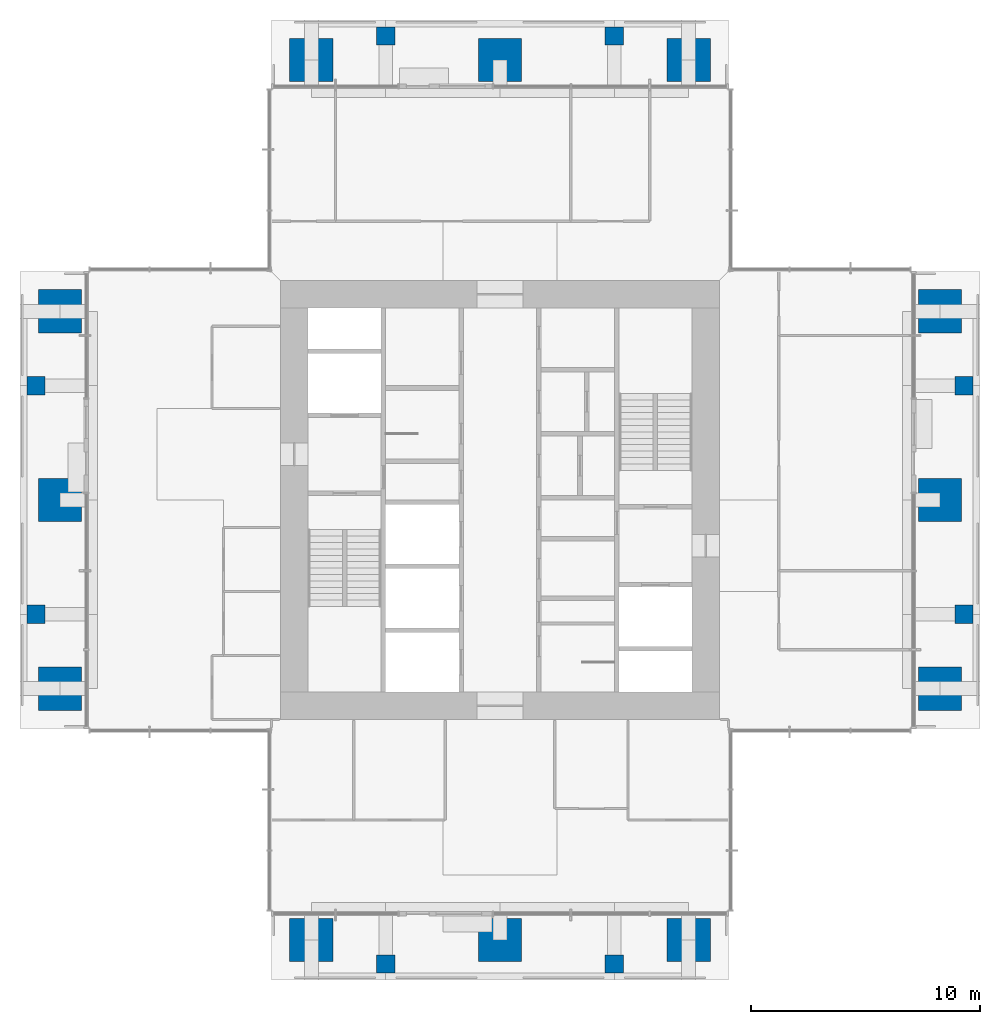
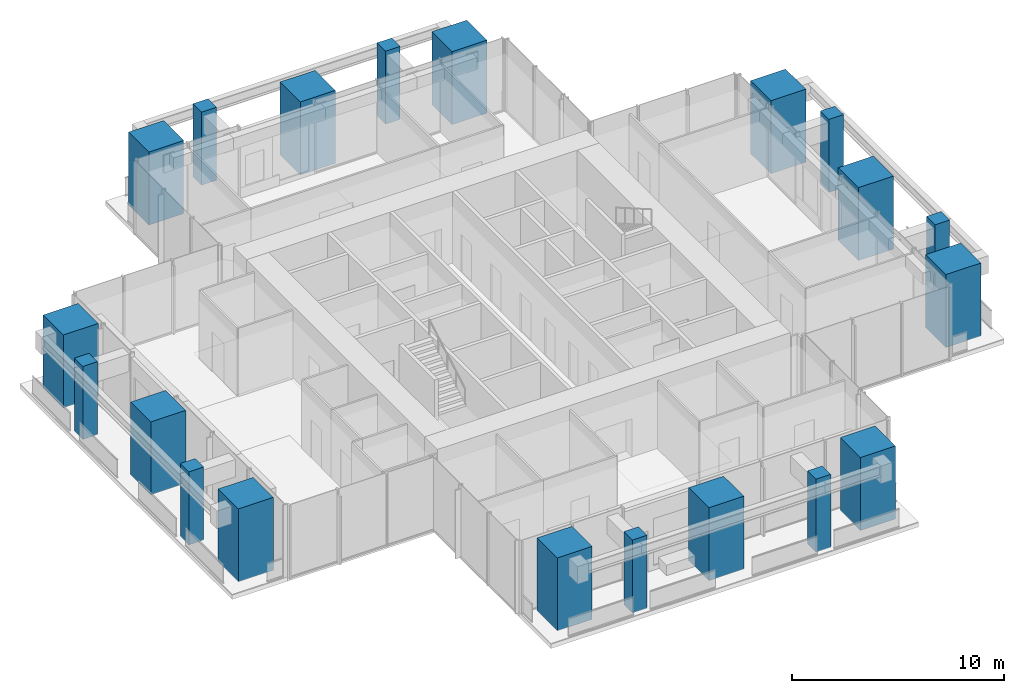
# One storey, part 1 of 12: 20 columns.
"""IFC4 building model written with IfcOpenShell, lengths in metres."""

from ifc_helpers import new_model, si_unit, direction, frame, origin, origin_2d, place, context, subcontext, project, spatial, rectangle, extrude, material, material_profile, profile_set, type_object, element, save


model = new_model("IFC4")

# Units and contexts
model_context = context("Model", 3, precision=1e-05, world=origin(), true_north=direction((0.0, 1.0)))
body_context = subcontext(model_context, "Body", "Model", "MODEL_VIEW")
ifc_project = project(units=[si_unit("LENGTHUNIT", "METRE"), si_unit("AREAUNIT", "SQUARE_METRE"), si_unit("VOLUMEUNIT", "CUBIC_METRE"), si_unit("PLANEANGLEUNIT", "RADIAN"), si_unit("MASSUNIT", "GRAM", prefix="KILO")], contexts=[model_context])

# Site, building, storey
site_placement = place(None, origin())
site = spatial("IfcSite", under=ifc_project, at=site_placement, CompositionType="ELEMENT")
building_placement = place(site_placement, origin())
building = spatial("IfcBuilding", under=site, at=building_placement, Name="Svetlomir Tower", CompositionType="ELEMENT")
storey_placement = place(building_placement, frame((0.0, 0.0, 256.60009765625)))
storey = spatial("IfcBuildingStorey", under=building, at=storey_placement, Name="L61", CompositionType="ELEMENT", Elevation=256.60009765625)

# Columns
ifc_material_1 = material(Name="Concrete C60/75", Category="concrete")
ifc_material_profile_1 = material_profile(ifc_material_1, rectangle(XDim=1.89990234375, YDim=1.89990234375, at=origin_2d()), Name="RC 1900x1900")
ifc_profile_set_1 = profile_set([ifc_material_profile_1], Name="Concrete C60/75")
column_type_1 = type_object("IfcColumnType", Name="COLUMN RC 1900x1900", PredefinedType="COLUMN", material=ifc_profile_set_1)
for number, where, z_axis, x_axis, name in (
    (1, (12.75, 1.75, 0.0), (0.0, 0.0, 1.0), (1.0, 0.0, 0.0), "Column 11/0 L61"),
    (2, (21.0, 1.75, 0.0), (0.0, 0.0, 1.0), (1.0, 0.0, 0.0), "Column 21/0 L61"),
    (3, (29.25, 1.75, 0.0), (0.0, 0.0, 1.0), (1.0, 0.0, 0.0), "Column 31/0 L61"),
    (4, (1.75, 12.75, 0.0), (0.0, 0.0, 1.0), (1.0, 0.0, 0.0), "Column 0/11 L61"),
    (5, (40.25, 12.75, 0.0), (0.0, 0.0, 1.0), (1.0, 0.0, 0.0), "Column 42/11 L61"),
    (6, (1.75, 21.0, 0.0), (0.0, 0.0, 1.0), (1.0, 0.0, 0.0), "Column 0/21 L61"),
    (7, (40.25, 21.0, 0.0), (0.0, 0.0, 1.0), (1.0, 0.0, 0.0), "Column 42/21 L61"),
    (8, (1.75, 29.25, 0.0), (0.0, 0.0, 1.0), (1.0, 0.0, 0.0), "Column 0/31 L61"),
    (9, (40.25, 29.25, 0.0), (0.0, 0.0, 1.0), (1.0, 0.0, 0.0), "Column 42/31 L61"),
    (10, (12.75, 40.25, 0.0), (0.0, 0.0, 1.0), (1.0, 0.0, 0.0), "Column 11/42 L61"),
    (11, (21.0, 40.25, 0.0), (0.0, 0.0, 1.0), (1.0, 0.0, 0.0), "Column 21/42 L61"),
    (12, (29.25, 40.25, 0.0), (0.0, 0.0, 1.0), (1.0, 0.0, 0.0), "Column 31/42 L61"),
):
    element("IfcColumn", number, at=place(storey_placement, frame(where, z_axis=z_axis, x_axis=x_axis)), inside=storey, type_object=column_type_1, Name=name, PredefinedType="COLUMN", context=body_context, shape_type="SweptSolid", body=[
        extrude(rectangle(XDim=1.89990234375, YDim=1.89990234375, at=origin_2d()), origin(), (0.0, 0.0, 1.0), 4.199951171875),
    ])
ifc_material_2 = material(Name="Concrete C60/75", Category="concrete")
ifc_material_profile_2 = material_profile(ifc_material_2, rectangle(XDim=0.800048828125, YDim=0.800048828125, at=origin_2d()), Name="RC 800x800")
ifc_profile_set_2 = profile_set([ifc_material_profile_2], Name="Concrete C60/75")
column_type_2 = type_object("IfcColumnType", Name="COLUMN RC 800x800", PredefinedType="COLUMN", material=ifc_profile_set_2)
for number, where, z_axis, x_axis, name in (
    (13, (16.0, 0.699951171875, 0.0), (0.0, 0.0, 1.0), (1.0, 0.0, 0.0), "Column 16/0 L61"),
    (14, (26.0, 0.699951171875, 0.0), (0.0, 0.0, 1.0), (1.0, 0.0, 0.0), "Column 26/0 L61"),
    (15, (0.699951171875, 16.0, 0.0), (0.0, 0.0, 1.0), (1.0, 0.0, 0.0), "Column 0/16 L61"),
    (16, (41.300048828125, 16.0, 0.0), (0.0, 0.0, 1.0), (1.0, 0.0, 0.0), "Column 42/16 L61"),
    (17, (0.699951171875, 26.0, 0.0), (0.0, 0.0, 1.0), (1.0, 0.0, 0.0), "Column 0/26 L61"),
    (18, (41.300048828125, 26.0, 0.0), (0.0, 0.0, 1.0), (1.0, 0.0, 0.0), "Column 42/26 L61"),
    (19, (16.0, 41.300048828125, 0.0), (0.0, 0.0, 1.0), (1.0, 0.0, 0.0), "Column 16/42 L61"),
    (20, (26.0, 41.300048828125, 0.0), (0.0, 0.0, 1.0), (1.0, 0.0, 0.0), "Column 26/42 L61"),
):
    element("IfcColumn", number, at=place(storey_placement, frame(where, z_axis=z_axis, x_axis=x_axis)), inside=storey, type_object=column_type_2, Name=name, PredefinedType="COLUMN", context=body_context, shape_type="SweptSolid", body=[
        extrude(rectangle(XDim=0.800048828125, YDim=0.800048828125, at=origin_2d()), origin(), (0.0, 0.0, 1.0), 4.199951171875),
    ])

save(model, "model.ifc")
